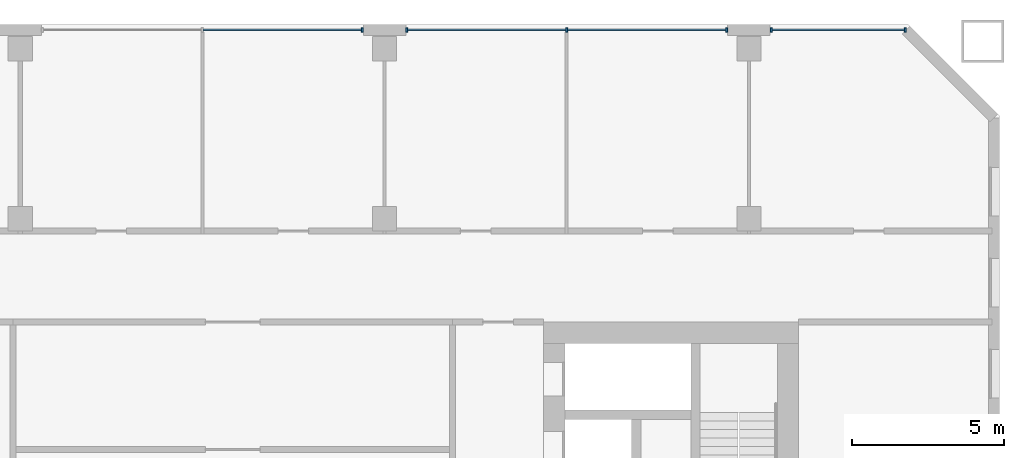
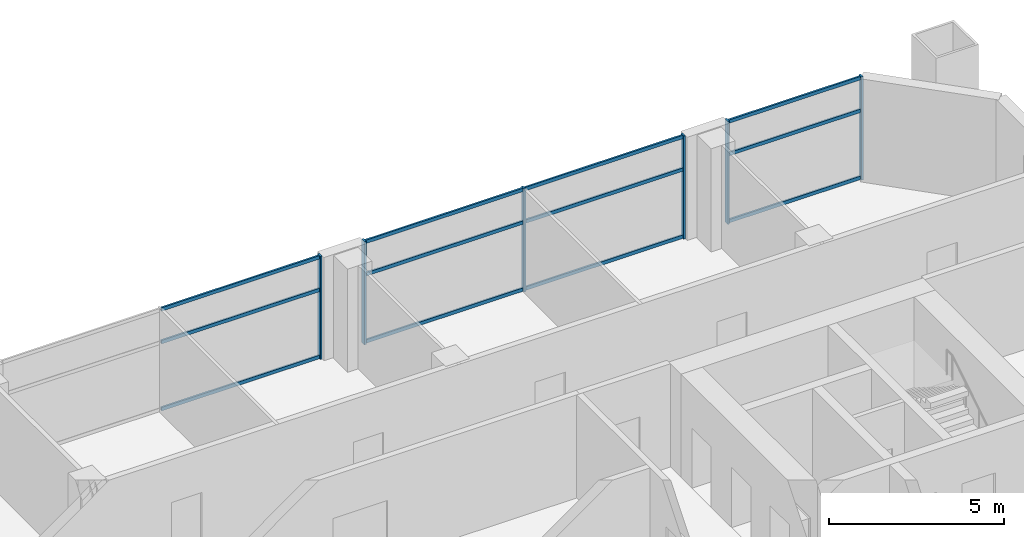
# One storey, part 7 of 19: 18 members, 3 elements without a shape of their own.
"""IFC4 building model written with IfcOpenShell, lengths in metres."""

from ifc_helpers import new_model, si_unit, direction, frame, origin, origin_2d, place, context, subcontext, project, spatial, rectangle, extrude, material, material_profile, profile_set, type_object, element, aggregate, save


model = new_model("IFC4")

# Units and contexts
model_context = context("Model", 3, precision=1e-05, world=origin(), true_north=direction((0.0, 1.0)))
body_context = subcontext(model_context, "Body", "Model", "MODEL_VIEW")
ifc_project = project(units=[si_unit("LENGTHUNIT", "METRE"), si_unit("AREAUNIT", "SQUARE_METRE"), si_unit("VOLUMEUNIT", "CUBIC_METRE"), si_unit("PLANEANGLEUNIT", "RADIAN"), si_unit("MASSUNIT", "GRAM", prefix="KILO")], contexts=[model_context])

# Site, building, storey
site_placement = place(None, origin())
site = spatial("IfcSite", under=ifc_project, at=site_placement, CompositionType="ELEMENT")
building_placement = place(site_placement, origin())
building = spatial("IfcBuilding", under=site, at=building_placement, Name="Tuart Gate Housing", CompositionType="ELEMENT")
storey_placement = place(building_placement, frame((0.0, 0.0, 67.39990234375)))
storey = spatial("IfcBuildingStorey", under=building, at=storey_placement, Name="L18", CompositionType="ELEMENT", Elevation=67.39990234375)

# Curtain wall, members
ifc_material_1 = material(Name="Aluminium and clear glass", Category="aluminium")
curtain_wall_type = type_object("IfcCurtainWallType", Name="Community floor glazing", PredefinedType="USERDEFINED", material=ifc_material_1)
curtain_wall_1_placement = place(storey_placement, origin())
curtain_wall_1 = element("IfcCurtainWall", 1, at=curtain_wall_1_placement, inside=storey, type_object=curtain_wall_type, Name="Community floor glazing B-N L18", ObjectType="COMMUNITY FLOOR GLAZING", PredefinedType="USERDEFINED")
ifc_material_2 = material(Name="Anodised aluminium", Category="aluminium")
ifc_material_profile_1 = material_profile(ifc_material_2, rectangle(XDim=0.06005859375, YDim=0.159912109375, at=origin_2d()), Name="60x160")
ifc_profile_set_1 = profile_set([ifc_material_profile_1], Name="Anodised aluminium")
member_type_1 = type_object("IfcMemberType", Name="Mullion 60 x 160", PredefinedType="MULLION", material=ifc_profile_set_1)
member_1_placement = place(storey_placement, frame((172.1455078125, 85.820068359375, 0.0), z_axis=(0.0, 0.0, 1.0), x_axis=(-1.0, 0.0, 0.0)))
member_1 = element("IfcMember", 2, at=member_1_placement, type_object=member_type_1, Name="CW3 mullion 1", PredefinedType="MULLION", context=body_context, shape_type="SweptSolid", body=[
    extrude(rectangle(XDim=0.06005859375, YDim=0.159912109375, at=origin_2d()), origin(), (0.0, 0.0, 1.0), 3.60009765625),
])
member_2_placement = place(storey_placement, frame((167.72998046875, 85.820068359375, 0.0), z_axis=(0.0, 0.0, 1.0), x_axis=(-1.0, 0.0, 0.0)))
member_2 = element("IfcMember", 3, at=member_2_placement, type_object=member_type_1, Name="CW3 mullion 2", PredefinedType="MULLION", context=body_context, shape_type="SweptSolid", body=[
    extrude(rectangle(XDim=0.06005859375, YDim=0.159912109375, at=origin_2d()), origin(), (0.0, 0.0, 1.0), 3.60009765625),
])

curtain_wall_2_placement = place(storey_placement, origin())
curtain_wall_2 = element("IfcCurtainWall", 4, at=curtain_wall_2_placement, inside=storey, type_object=curtain_wall_type, Name="Community floor glazing B-N L18", ObjectType="COMMUNITY FLOOR GLAZING", PredefinedType="USERDEFINED")
member_3_placement = place(storey_placement, frame((166.27001953125, 85.820068359375, 0.0), z_axis=(0.0, 0.0, 1.0), x_axis=(-1.0, 0.0, 0.0)))
member_3 = element("IfcMember", 5, at=member_3_placement, type_object=member_type_1, Name="CW3 mullion 1", PredefinedType="MULLION", context=body_context, shape_type="SweptSolid", body=[
    extrude(rectangle(XDim=0.06005859375, YDim=0.159912109375, at=origin_2d()), origin(), (0.0, 0.0, 1.0), 3.60009765625),
])
member_4_placement = place(storey_placement, frame((161.0, 85.820068359375, 0.0), z_axis=(0.0, 0.0, 1.0), x_axis=(-1.0, 0.0, 0.0)))
member_4 = element("IfcMember", 6, at=member_4_placement, type_object=member_type_1, Name="CW3 mullion 2", PredefinedType="MULLION", context=body_context, shape_type="SweptSolid", body=[
    extrude(rectangle(XDim=0.06005859375, YDim=0.159912109375, at=origin_2d()), origin(), (0.0, 0.0, 1.0), 3.60009765625),
])
member_5_placement = place(storey_placement, frame((155.72998046875, 85.820068359375, 0.0), z_axis=(0.0, 0.0, 1.0), x_axis=(-1.0, 0.0, 0.0)))
member_5 = element("IfcMember", 7, at=member_5_placement, type_object=member_type_1, Name="CW3 mullion 3", PredefinedType="MULLION", context=body_context, shape_type="SweptSolid", body=[
    extrude(rectangle(XDim=0.06005859375, YDim=0.159912109375, at=origin_2d()), origin(), (0.0, 0.0, 1.0), 3.60009765625),
])

# Curtain wall, member
curtain_wall_3_placement = place(storey_placement, origin())
curtain_wall_3 = element("IfcCurtainWall", 8, at=curtain_wall_3_placement, inside=storey, type_object=curtain_wall_type, Name="Community floor glazing B-N L18", ObjectType="COMMUNITY FLOOR GLAZING", PredefinedType="USERDEFINED")
member_6_placement = place(storey_placement, frame((154.27001953125, 85.820068359375, 0.0), z_axis=(0.0, 0.0, 1.0), x_axis=(-1.0, 0.0, 0.0)))
member_6 = element("IfcMember", 9, at=member_6_placement, type_object=member_type_1, Name="CW3 mullion 1", PredefinedType="MULLION", context=body_context, shape_type="SweptSolid", body=[
    extrude(rectangle(XDim=0.06005859375, YDim=0.159912109375, at=origin_2d()), origin(), (0.0, 0.0, 1.0), 3.60009765625),
])

# Member
ifc_material_3 = material(Name="Anodised aluminium", Category="aluminium")
ifc_material_profile_2 = material_profile(ifc_material_3, rectangle(XDim=0.06005859375, YDim=0.1201171875, at=origin_2d()), Name="60x120")
ifc_profile_set_2 = profile_set([ifc_material_profile_2], Name="Anodised aluminium")
member_type_2 = type_object("IfcMemberType", Name="Transom 60 x 120", PredefinedType="USERDEFINED", material=ifc_profile_set_2)
member_7_placement = place(storey_placement, frame((172.115478515625, 85.820068359375, 0.06005859375), z_axis=(-1.0, 0.0, 0.0), x_axis=(0.0, -1.0, 0.0)))
member_7 = element("IfcMember", 10, at=member_7_placement, type_object=member_type_2, Name="CW3 transom 1.1", ObjectType="TRANSOM", PredefinedType="USERDEFINED", context=body_context, shape_type="SweptSolid", body=[
    extrude(rectangle(XDim=0.06005859375, YDim=0.1201171875, at=origin_2d()), origin(), (0.0, 0.0, 1.0), 4.35546875),
])

member_8_placement = place(storey_placement, frame((172.115478515625, 85.820068359375, 2.400146484375), z_axis=(-1.0, 0.0, 0.0), x_axis=(0.0, -1.0, 0.0)))
member_8 = element("IfcMember", 11, at=member_8_placement, type_object=member_type_2, Name="CW3 transom 1.2", ObjectType="TRANSOM", PredefinedType="USERDEFINED", context=body_context, shape_type="SweptSolid", body=[
    extrude(rectangle(XDim=0.06005859375, YDim=0.1201171875, at=origin_2d()), origin(), (0.0, 0.0, 1.0), 4.35546875),
])

member_9_placement = place(storey_placement, frame((172.115478515625, 85.820068359375, 3.5400390625), z_axis=(-1.0, 0.0, 0.0), x_axis=(0.0, -1.0, 0.0)))
member_9 = element("IfcMember", 12, at=member_9_placement, type_object=member_type_2, Name="CW3 transom 1.3", ObjectType="TRANSOM", PredefinedType="USERDEFINED", context=body_context, shape_type="SweptSolid", body=[
    extrude(rectangle(XDim=0.06005859375, YDim=0.1201171875, at=origin_2d()), origin(), (0.0, 0.0, 1.0), 4.35546875),
])

aggregate(curtain_wall_1, [member_1, member_2, member_7, member_8, member_9])

member_10_placement = place(storey_placement, frame((166.239990234375, 85.820068359375, 0.06005859375), z_axis=(-1.0, 0.0, 0.0), x_axis=(0.0, -1.0, 0.0)))
member_10 = element("IfcMember", 13, at=member_10_placement, type_object=member_type_2, Name="CW3 transom 1.1", ObjectType="TRANSOM", PredefinedType="USERDEFINED", context=body_context, shape_type="SweptSolid", body=[
    extrude(rectangle(XDim=0.06005859375, YDim=0.1201171875, at=origin_2d()), origin(), (0.0, 0.0, 1.0), 5.2099609375),
])

member_11_placement = place(storey_placement, frame((166.239990234375, 85.820068359375, 2.400146484375), z_axis=(-1.0, 0.0, 0.0), x_axis=(0.0, -1.0, 0.0)))
member_11 = element("IfcMember", 14, at=member_11_placement, type_object=member_type_2, Name="CW3 transom 1.2", ObjectType="TRANSOM", PredefinedType="USERDEFINED", context=body_context, shape_type="SweptSolid", body=[
    extrude(rectangle(XDim=0.06005859375, YDim=0.1201171875, at=origin_2d()), origin(), (0.0, 0.0, 1.0), 5.2099609375),
])

member_12_placement = place(storey_placement, frame((166.239990234375, 85.820068359375, 3.5400390625), z_axis=(-1.0, 0.0, 0.0), x_axis=(0.0, -1.0, 0.0)))
member_12 = element("IfcMember", 15, at=member_12_placement, type_object=member_type_2, Name="CW3 transom 1.3", ObjectType="TRANSOM", PredefinedType="USERDEFINED", context=body_context, shape_type="SweptSolid", body=[
    extrude(rectangle(XDim=0.06005859375, YDim=0.1201171875, at=origin_2d()), origin(), (0.0, 0.0, 1.0), 5.2099609375),
])

member_13_placement = place(storey_placement, frame((160.969970703125, 85.820068359375, 0.06005859375), z_axis=(-1.0, 0.0, 0.0), x_axis=(0.0, -1.0, 0.0)))
member_13 = element("IfcMember", 16, at=member_13_placement, type_object=member_type_2, Name="CW3 transom 2.1", ObjectType="TRANSOM", PredefinedType="USERDEFINED", context=body_context, shape_type="SweptSolid", body=[
    extrude(rectangle(XDim=0.06005859375, YDim=0.1201171875, at=origin_2d()), origin(), (0.0, 0.0, 1.0), 5.2099609375),
])

member_14_placement = place(storey_placement, frame((160.969970703125, 85.820068359375, 2.400146484375), z_axis=(-1.0, 0.0, 0.0), x_axis=(0.0, -1.0, 0.0)))
member_14 = element("IfcMember", 17, at=member_14_placement, type_object=member_type_2, Name="CW3 transom 2.2", ObjectType="TRANSOM", PredefinedType="USERDEFINED", context=body_context, shape_type="SweptSolid", body=[
    extrude(rectangle(XDim=0.06005859375, YDim=0.1201171875, at=origin_2d()), origin(), (0.0, 0.0, 1.0), 5.2099609375),
])

member_15_placement = place(storey_placement, frame((160.969970703125, 85.820068359375, 3.5400390625), z_axis=(-1.0, 0.0, 0.0), x_axis=(0.0, -1.0, 0.0)))
member_15 = element("IfcMember", 18, at=member_15_placement, type_object=member_type_2, Name="CW3 transom 2.3", ObjectType="TRANSOM", PredefinedType="USERDEFINED", context=body_context, shape_type="SweptSolid", body=[
    extrude(rectangle(XDim=0.06005859375, YDim=0.1201171875, at=origin_2d()), origin(), (0.0, 0.0, 1.0), 5.2099609375),
])

aggregate(curtain_wall_2, [member_3, member_4, member_5, member_10, member_11, member_12, member_13, member_14, member_15])

member_16_placement = place(storey_placement, frame((154.239990234375, 85.820068359375, 0.06005859375), z_axis=(-1.0, 0.0, 0.0), x_axis=(0.0, -1.0, 0.0)))
member_16 = element("IfcMember", 19, at=member_16_placement, type_object=member_type_2, Name="CW3 transom 1.1", ObjectType="TRANSOM", PredefinedType="USERDEFINED", context=body_context, shape_type="SweptSolid", body=[
    extrude(rectangle(XDim=0.06005859375, YDim=0.1201171875, at=origin_2d()), origin(), (0.0, 0.0, 1.0), 5.2099609375),
])

member_17_placement = place(storey_placement, frame((154.239990234375, 85.820068359375, 2.400146484375), z_axis=(-1.0, 0.0, 0.0), x_axis=(0.0, -1.0, 0.0)))
member_17 = element("IfcMember", 20, at=member_17_placement, type_object=member_type_2, Name="CW3 transom 1.2", ObjectType="TRANSOM", PredefinedType="USERDEFINED", context=body_context, shape_type="SweptSolid", body=[
    extrude(rectangle(XDim=0.06005859375, YDim=0.1201171875, at=origin_2d()), origin(), (0.0, 0.0, 1.0), 5.2099609375),
])

member_18_placement = place(storey_placement, frame((154.239990234375, 85.820068359375, 3.5400390625), z_axis=(-1.0, 0.0, 0.0), x_axis=(0.0, -1.0, 0.0)))
member_18 = element("IfcMember", 21, at=member_18_placement, type_object=member_type_2, Name="CW3 transom 1.3", ObjectType="TRANSOM", PredefinedType="USERDEFINED", context=body_context, shape_type="SweptSolid", body=[
    extrude(rectangle(XDim=0.06005859375, YDim=0.1201171875, at=origin_2d()), origin(), (0.0, 0.0, 1.0), 5.2099609375),
])

aggregate(curtain_wall_3, [member_6, member_16, member_17, member_18])

save(model, "model.ifc")
